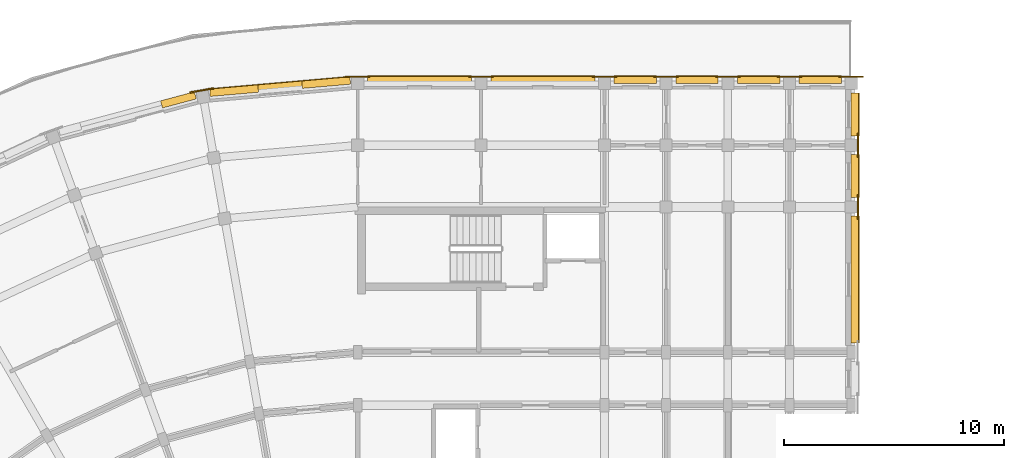
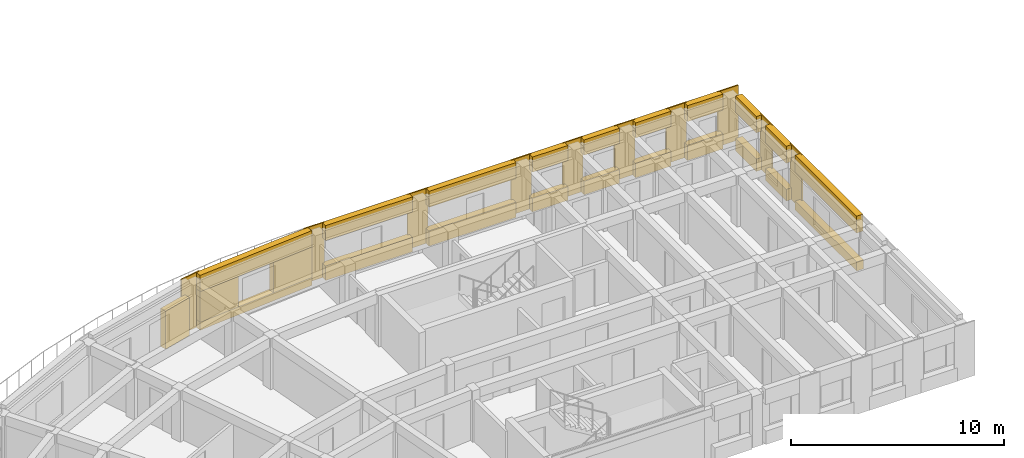
# One storey, part 22 of 23: 33 coverings.
"""IFC4 building model written with IfcOpenShell, lengths in metres."""

from ifc_helpers import new_model, si_unit, direction, frame, origin, place, context, subcontext, project, spatial, polyline, outline, extrude, material, layer, layer_set, type_object, element, save


model = new_model("IFC4")

# Units and contexts
model_context = context("Model", 3, precision=1e-05, world=origin(), true_north=direction((0.0, 1.0)))
body_context = subcontext(model_context, "Body", "Model", "MODEL_VIEW")
ifc_project = project(units=[si_unit("LENGTHUNIT", "METRE"), si_unit("AREAUNIT", "SQUARE_METRE"), si_unit("VOLUMEUNIT", "CUBIC_METRE"), si_unit("PLANEANGLEUNIT", "RADIAN"), si_unit("MASSUNIT", "GRAM", prefix="KILO")], contexts=[model_context])

# Site, building, storey
site_placement = place(None, origin())
site = spatial("IfcSite", under=ifc_project, at=site_placement, CompositionType="ELEMENT")
building_placement = place(site_placement, origin())
building = spatial("IfcBuilding", under=site, at=building_placement, Name="Kiranvali Square Residences", CompositionType="ELEMENT")
storey_placement = place(building_placement, frame((0.0, 0.0, 43.35009765625)))
storey = spatial("IfcBuildingStorey", under=building, at=storey_placement, Name="L13", CompositionType="ELEMENT", Elevation=43.35009765625)

# Coverings
ifc_material = material(Name="Honed Porbandar limestone ashlar facade cladding", Category="masonry")
ifc_layer_1 = layer(ifc_material, 0.3798828125)
ifc_layer_set_1 = layer_set([ifc_layer_1], Name="Honed Porbandar limestone ashlar facade cladding")
covering_type_1 = type_object("IfcCoveringType", Name="COV-CLAD-JAMB", PredefinedType="CLADDING", material=ifc_layer_set_1)
covering_1_placement = place(storey_placement, frame((0.0, 0.0, 0.4619140625)))
element("IfcCovering", 1, at=covering_1_placement, inside=storey, type_object=covering_type_1, Name="L13 deep limestone window jamb reveal A-L13-CRV-00.L", PredefinedType="CLADDING", context=body_context, shape_type="SweptSolid", body=[
    extrude(outline(polyline([(47.846923828125, 128.50537109375), (45.6591796875, 128.31396484375), (45.6884765625, 127.980712890625), (47.876220703125, 128.172119140625), (47.846923828125, 128.50537109375)])), origin(), (0.0, 0.0, 1.0), 1.75),
])
covering_2_placement = place(storey_placement, frame((0.0, 0.0, 0.4619140625)))
element("IfcCovering", 2, at=covering_2_placement, inside=storey, type_object=covering_type_1, Name="L13 deep limestone window jamb reveal A-L13-CRV-00.R", PredefinedType="CLADDING", context=body_context, shape_type="SweptSolid", body=[
    extrude(outline(polyline([(43.6669921875, 128.1396484375), (41.479248046875, 127.9482421875), (41.50830078125, 127.614990234375), (43.696044921875, 127.806396484375), (43.6669921875, 128.1396484375)])), origin(), (0.0, 0.0, 1.0), 1.75),
])
covering_3_placement = place(storey_placement, origin())
element("IfcCovering", 3, at=covering_3_placement, inside=storey, type_object=covering_type_1, Name="L13 deep limestone window jamb reveal A-L13-CRV-01.L", PredefinedType="CLADDING", context=body_context, shape_type="SweptSolid", body=[
    extrude(outline(polyline([(40.783935546875, 127.82568359375), (39.250732421875, 127.414794921875), (39.33740234375, 127.091796875), (40.87060546875, 127.502685546875), (40.783935546875, 127.82568359375)])), origin(), (0.0, 0.0, 1.0), 2.179931640625),
])
ifc_layer_2 = layer(ifc_material, 0.06494140625)
ifc_layer_set_2 = layer_set([ifc_layer_2], Name="Honed Porbandar limestone ashlar facade cladding")
covering_type_2 = type_object("IfcCoveringType", Name="COV-CLAD-PIER", PredefinedType="CLADDING", material=ifc_layer_set_2)
covering_4_placement = place(storey_placement, frame((0.0, 0.0, 0.0048828125)))
element("IfcCovering", 4, at=covering_4_placement, inside=storey, type_object=covering_type_2, Name="L13 Classical limestone corner pilaster CLAD-PR-A-L13-A00", PredefinedType="CLADDING", context=body_context, shape_type="SweptSolid", body=[
    extrude(outline(polyline([(48.7548828125, 128.54296875), (47.64501953125, 128.54296875), (47.64501953125, 128.4755859375), (48.7548828125, 128.4755859375), (48.7548828125, 128.54296875)])), origin(), (0.0, 0.0, 1.0), 3.14013671875),
])
covering_5_placement = place(storey_placement, frame((0.0, 0.0, 0.0048828125)))
element("IfcCovering", 5, at=covering_5_placement, inside=storey, type_object=covering_type_2, Name="L13 Classical limestone corner pilaster CLAD-PR-A-L13-A01", PredefinedType="CLADDING", context=body_context, shape_type="SweptSolid", body=[
    extrude(outline(polyline([(41.671630859375, 128.0205078125), (40.578369140625, 127.82763671875), (40.59033203125, 127.76123046875), (41.683349609375, 127.953857421875), (41.671630859375, 128.0205078125)])), origin(), (0.0, 0.0, 1.0), 3.14013671875),
])
ifc_layer_3 = layer(ifc_material, 0.054931640625)
ifc_layer_set_3 = layer_set([ifc_layer_3], Name="Honed Porbandar limestone ashlar facade cladding")
covering_type_3 = type_object("IfcCoveringType", Name="COV-CLAD-PIER-UP", PredefinedType="CLADDING", material=ifc_layer_set_3)
covering_6_placement = place(storey_placement, frame((0.0, 0.0, 0.0048828125)))
element("IfcCovering", 6, at=covering_6_placement, inside=storey, type_object=covering_type_3, Name="L13 Classical limestone pilaster casing CLAD-PR-A-L13-U56", PredefinedType="CLADDING", context=body_context, shape_type="SweptSolid", body=[
    extrude(outline(polyline([(53.2451171875, 128.4755859375), (54.35498046875, 128.4755859375), (54.35498046875, 128.54296875), (53.2451171875, 128.54296875), (53.2451171875, 128.4755859375)])), origin(), (0.0, 0.0, 1.0), 3.14013671875),
])
covering_7_placement = place(storey_placement, frame((0.0, 0.0, 0.0048828125)))
element("IfcCovering", 7, at=covering_7_placement, inside=storey, type_object=covering_type_3, Name="L13 Classical limestone pilaster casing CLAD-PR-A-L13-U112", PredefinedType="CLADDING", context=body_context, shape_type="SweptSolid", body=[
    extrude(outline(polyline([(58.844970703125, 128.4755859375), (59.955078125, 128.4755859375), (59.955078125, 128.54296875), (58.844970703125, 128.54296875), (58.844970703125, 128.4755859375)])), origin(), (0.0, 0.0, 1.0), 3.14013671875),
])
covering_8_placement = place(storey_placement, frame((0.0, 0.0, 0.0048828125)))
element("IfcCovering", 8, at=covering_8_placement, inside=storey, type_object=covering_type_3, Name="L13 Classical limestone pilaster casing CLAD-PR-A-L13-U140", PredefinedType="CLADDING", context=body_context, shape_type="SweptSolid", body=[
    extrude(outline(polyline([(61.64501953125, 128.4755859375), (62.7548828125, 128.4755859375), (62.7548828125, 128.54296875), (61.64501953125, 128.54296875), (61.64501953125, 128.4755859375)])), origin(), (0.0, 0.0, 1.0), 3.14013671875),
])
covering_9_placement = place(storey_placement, frame((0.0, 0.0, 0.0048828125)))
element("IfcCovering", 9, at=covering_9_placement, inside=storey, type_object=covering_type_3, Name="L13 Classical limestone pilaster casing CLAD-PR-A-L13-U167", PredefinedType="CLADDING", context=body_context, shape_type="SweptSolid", body=[
    extrude(outline(polyline([(64.445068359375, 128.4755859375), (65.554931640625, 128.4755859375), (65.554931640625, 128.54296875), (64.445068359375, 128.54296875), (64.445068359375, 128.4755859375)])), origin(), (0.0, 0.0, 1.0), 3.14013671875),
])
covering_10_placement = place(storey_placement, frame((0.0, 0.0, 0.0048828125)))
element("IfcCovering", 10, at=covering_10_placement, inside=storey, type_object=covering_type_3, Name="L13 Classical limestone pilaster casing CLAD-PR-A-L13-U195", PredefinedType="CLADDING", context=body_context, shape_type="SweptSolid", body=[
    extrude(outline(polyline([(67.2451171875, 128.4755859375), (68.35498046875, 128.4755859375), (68.35498046875, 128.54296875), (67.2451171875, 128.54296875), (67.2451171875, 128.4755859375)])), origin(), (0.0, 0.0, 1.0), 3.14013671875),
])
covering_11_placement = place(storey_placement, frame((0.0, 0.0, 0.0048828125)))
element("IfcCovering", 11, at=covering_11_placement, inside=storey, type_object=covering_type_3, Name="L13 Classical limestone pilaster casing CLAD-PR-A-L13-U224", PredefinedType="CLADDING", context=body_context, shape_type="SweptSolid", body=[
    extrude(outline(polyline([(70.044921875, 128.4755859375), (71.155029296875, 128.4755859375), (71.155029296875, 128.54296875), (70.044921875, 128.54296875), (70.044921875, 128.4755859375)])), origin(), (0.0, 0.0, 1.0), 3.14013671875),
])
covering_12_placement = place(storey_placement, frame((0.0, 0.0, 0.0048828125)))
element("IfcCovering", 12, at=covering_12_placement, inside=storey, type_object=covering_type_3, Name="L13 Classical limestone pilaster casing CLAD-PRA1E-A-L13-R348", PredefinedType="CLADDING", context=body_context, shape_type="SweptSolid", body=[
    extrude(outline(polyline([(70.943115234375, 122.044921875), (70.943115234375, 123.155029296875), (70.87548828125, 123.155029296875), (70.87548828125, 122.044921875), (70.943115234375, 122.044921875)])), origin(), (0.0, 0.0, 1.0), 3.14013671875),
])
covering_13_placement = place(storey_placement, frame((0.0, 0.0, 0.0048828125)))
element("IfcCovering", 13, at=covering_13_placement, inside=storey, type_object=covering_type_3, Name="L13 Classical limestone pilaster casing CLAD-PRA1E-A-L13-R376", PredefinedType="CLADDING", context=body_context, shape_type="SweptSolid", body=[
    extrude(outline(polyline([(70.943115234375, 124.844970703125), (70.943115234375, 125.955078125), (70.87548828125, 125.955078125), (70.87548828125, 124.844970703125), (70.943115234375, 124.844970703125)])), origin(), (0.0, 0.0, 1.0), 3.14013671875),
])
ifc_layer_4 = layer(ifc_material, 0.360107421875)
ifc_layer_set_4 = layer_set([ifc_layer_4], Name="Honed Porbandar limestone ashlar facade cladding")
covering_type_4 = type_object("IfcCoveringType", Name="COV-CLAD-WALL", PredefinedType="CLADDING", material=ifc_layer_set_4)
covering_14_placement = place(storey_placement, frame((0.0, 0.0, 2.2119140625)))
element("IfcCovering", 14, at=covering_14_placement, inside=storey, type_object=covering_type_4, Name="L13 light limestone spandrel lintel A-L13-CRV-00", PredefinedType="CLADDING", context=body_context, shape_type="SweptSolid", body=[
    extrude(outline(polyline([(47.846923828125, 128.50537109375), (41.479248046875, 127.9482421875), (41.50830078125, 127.614990234375), (47.876220703125, 128.172119140625), (47.846923828125, 128.50537109375)])), origin(), (0.0, 0.0, 1.0), 0.93310546875),
])
covering_15_placement = place(storey_placement, frame((0.0, 0.0, 2.27978515625)))
element("IfcCovering", 15, at=covering_15_placement, inside=storey, type_object=covering_type_4, Name="L13 light limestone spandrel lintel A-L13-A1O-0", PredefinedType="CLADDING", context=body_context, shape_type="SweptSolid", body=[
    extrude(outline(polyline([(48.639892578125, 128.200439453125), (53.360107421875, 128.200439453125), (53.360107421875, 128.52490234375), (48.639892578125, 128.52490234375), (48.639892578125, 128.200439453125)])), origin(), (0.0, 0.0, 1.0), 0.865234375),
])
covering_16_placement = place(storey_placement, frame((0.0, 0.0, 2.22998046875)))
element("IfcCovering", 16, at=covering_16_placement, inside=storey, type_object=covering_type_4, Name="L13 light limestone spandrel lintel A-L13-A1O-1", PredefinedType="CLADDING", context=body_context, shape_type="SweptSolid", body=[
    extrude(outline(polyline([(54.239990234375, 128.200439453125), (58.9599609375, 128.200439453125), (58.9599609375, 128.52490234375), (54.239990234375, 128.52490234375), (54.239990234375, 128.200439453125)])), origin(), (0.0, 0.0, 1.0), 0.9150390625),
])
covering_17_placement = place(storey_placement, frame((0.0, 0.0, 2.27978515625)))
element("IfcCovering", 17, at=covering_17_placement, inside=storey, type_object=covering_type_4, Name="L13 light limestone spandrel lintel A-L13-A1O-2", PredefinedType="CLADDING", context=body_context, shape_type="SweptSolid", body=[
    extrude(outline(polyline([(59.840087890625, 128.200439453125), (61.760009765625, 128.200439453125), (61.760009765625, 128.52490234375), (59.840087890625, 128.52490234375), (59.840087890625, 128.200439453125)])), origin(), (0.0, 0.0, 1.0), 0.865234375),
])
covering_18_placement = place(storey_placement, frame((0.0, 0.0, 2.27978515625)))
element("IfcCovering", 18, at=covering_18_placement, inside=storey, type_object=covering_type_4, Name="L13 light limestone spandrel lintel A-L13-A1O-3", PredefinedType="CLADDING", context=body_context, shape_type="SweptSolid", body=[
    extrude(outline(polyline([(62.639892578125, 128.200439453125), (64.56005859375, 128.200439453125), (64.56005859375, 128.52490234375), (62.639892578125, 128.52490234375), (62.639892578125, 128.200439453125)])), origin(), (0.0, 0.0, 1.0), 0.865234375),
])
covering_19_placement = place(storey_placement, frame((0.0, 0.0, 2.27978515625)))
element("IfcCovering", 19, at=covering_19_placement, inside=storey, type_object=covering_type_4, Name="L13 light limestone spandrel lintel A-L13-A1O-4", PredefinedType="CLADDING", context=body_context, shape_type="SweptSolid", body=[
    extrude(outline(polyline([(65.43994140625, 128.200439453125), (67.360107421875, 128.200439453125), (67.360107421875, 128.52490234375), (65.43994140625, 128.52490234375), (65.43994140625, 128.200439453125)])), origin(), (0.0, 0.0, 1.0), 0.865234375),
])
covering_20_placement = place(storey_placement, frame((0.0, 0.0, 2.22998046875)))
element("IfcCovering", 20, at=covering_20_placement, inside=storey, type_object=covering_type_4, Name="L13 light limestone spandrel lintel A-L13-A1O-5", PredefinedType="CLADDING", context=body_context, shape_type="SweptSolid", body=[
    extrude(outline(polyline([(68.239990234375, 128.200439453125), (70.159912109375, 128.200439453125), (70.159912109375, 128.52490234375), (68.239990234375, 128.52490234375), (68.239990234375, 128.200439453125)])), origin(), (0.0, 0.0, 1.0), 0.9150390625),
])
covering_21_placement = place(storey_placement, frame((0.0, 0.0, 2.171875)))
element("IfcCovering", 21, at=covering_21_placement, inside=storey, type_object=covering_type_4, Name="L13 light limestone spandrel lintel A-L13-A1END-2", PredefinedType="CLADDING", context=body_context, shape_type="SweptSolid", body=[
    extrude(outline(polyline([(70.93994140625, 116.419921875), (70.93994140625, 122.179931640625), (70.6005859375, 122.179931640625), (70.6005859375, 116.419921875), (70.93994140625, 116.419921875)])), origin(), (0.0, 0.0, 1.0), 0.97314453125),
])
covering_22_placement = place(storey_placement, frame((0.0, 0.0, 2.171875)))
element("IfcCovering", 22, at=covering_22_placement, inside=storey, type_object=covering_type_4, Name="L13 light limestone spandrel lintel A-L13-A1END-3", PredefinedType="CLADDING", context=body_context, shape_type="SweptSolid", body=[
    extrude(outline(polyline([(70.93994140625, 123.02001953125), (70.93994140625, 124.97998046875), (70.6005859375, 124.97998046875), (70.6005859375, 123.02001953125), (70.93994140625, 123.02001953125)])), origin(), (0.0, 0.0, 1.0), 0.97314453125),
])
covering_23_placement = place(storey_placement, frame((0.0, 0.0, 2.2119140625)))
element("IfcCovering", 23, at=covering_23_placement, inside=storey, type_object=covering_type_4, Name="L13 light limestone spandrel lintel A-L13-A1END-4", PredefinedType="CLADDING", context=body_context, shape_type="SweptSolid", body=[
    extrude(outline(polyline([(70.93994140625, 125.820068359375), (70.93994140625, 127.780029296875), (70.6005859375, 127.780029296875), (70.6005859375, 125.820068359375), (70.93994140625, 125.820068359375)])), origin(), (0.0, 0.0, 1.0), 0.93310546875),
])
ifc_layer_5 = layer(ifc_material, 0.320068359375)
ifc_layer_set_5 = layer_set([ifc_layer_5], Name="Honed Porbandar limestone ashlar facade cladding")
covering_type_5 = type_object("IfcCoveringType", Name="COV-CLAD-WALL-UP", PredefinedType="CLADDING", material=ifc_layer_set_5)
covering_24_placement = place(storey_placement, frame((0.0, 0.0, 0.0048828125)))
element("IfcCovering", 24, at=covering_24_placement, inside=storey, type_object=covering_type_5, Name="L13 limestone window sill apron A-L13-CRV-00", PredefinedType="CLADDING", context=body_context, shape_type="SweptSolid", body=[
    extrude(outline(polyline([(47.844482421875, 128.535400390625), (41.4765625, 127.978271484375), (41.50830078125, 127.614990234375), (47.876220703125, 128.172119140625), (47.844482421875, 128.535400390625)])), origin(), (0.0, 0.0, 1.0), 0.45703125),
])
covering_25_placement = place(storey_placement, frame((0.0, 0.0, 0.0048828125)))
element("IfcCovering", 25, at=covering_25_placement, inside=storey, type_object=covering_type_5, Name="L13 limestone window sill apron A-L13-A1O-0", PredefinedType="CLADDING", context=body_context, shape_type="SweptSolid", body=[
    extrude(outline(polyline([(48.639892578125, 128.200439453125), (53.360107421875, 128.200439453125), (53.360107421875, 128.554931640625), (48.639892578125, 128.554931640625), (48.639892578125, 128.200439453125)])), origin(), (0.0, 0.0, 1.0), 0.824951171875),
])
covering_26_placement = place(storey_placement, frame((0.0, 0.0, 0.0048828125)))
element("IfcCovering", 26, at=covering_26_placement, inside=storey, type_object=covering_type_5, Name="L13 limestone window sill apron A-L13-A1O-1", PredefinedType="CLADDING", context=body_context, shape_type="SweptSolid", body=[
    extrude(outline(polyline([(54.239990234375, 128.200439453125), (58.9599609375, 128.200439453125), (58.9599609375, 128.554931640625), (54.239990234375, 128.554931640625), (54.239990234375, 128.200439453125)])), origin(), (0.0, 0.0, 1.0), 0.875),
])
covering_27_placement = place(storey_placement, frame((0.0, 0.0, 0.0048828125)))
element("IfcCovering", 27, at=covering_27_placement, inside=storey, type_object=covering_type_5, Name="L13 limestone window sill apron A-L13-A1O-2", PredefinedType="CLADDING", context=body_context, shape_type="SweptSolid", body=[
    extrude(outline(polyline([(59.840087890625, 128.200439453125), (61.760009765625, 128.200439453125), (61.760009765625, 128.554931640625), (59.840087890625, 128.554931640625), (59.840087890625, 128.200439453125)])), origin(), (0.0, 0.0, 1.0), 0.77490234375),
])
covering_28_placement = place(storey_placement, frame((0.0, 0.0, 0.0048828125)))
element("IfcCovering", 28, at=covering_28_placement, inside=storey, type_object=covering_type_5, Name="L13 limestone window sill apron A-L13-A1O-3", PredefinedType="CLADDING", context=body_context, shape_type="SweptSolid", body=[
    extrude(outline(polyline([(62.639892578125, 128.200439453125), (64.56005859375, 128.200439453125), (64.56005859375, 128.554931640625), (62.639892578125, 128.554931640625), (62.639892578125, 128.200439453125)])), origin(), (0.0, 0.0, 1.0), 0.77490234375),
])
covering_29_placement = place(storey_placement, frame((0.0, 0.0, 0.0048828125)))
element("IfcCovering", 29, at=covering_29_placement, inside=storey, type_object=covering_type_5, Name="L13 limestone window sill apron A-L13-A1O-4", PredefinedType="CLADDING", context=body_context, shape_type="SweptSolid", body=[
    extrude(outline(polyline([(65.43994140625, 128.200439453125), (67.360107421875, 128.200439453125), (67.360107421875, 128.554931640625), (65.43994140625, 128.554931640625), (65.43994140625, 128.200439453125)])), origin(), (0.0, 0.0, 1.0), 0.824951171875),
])
covering_30_placement = place(storey_placement, frame((0.0, 0.0, 0.0048828125)))
element("IfcCovering", 30, at=covering_30_placement, inside=storey, type_object=covering_type_5, Name="L13 limestone window sill apron A-L13-A1O-5", PredefinedType="CLADDING", context=body_context, shape_type="SweptSolid", body=[
    extrude(outline(polyline([(68.239990234375, 128.200439453125), (70.159912109375, 128.200439453125), (70.159912109375, 128.554931640625), (68.239990234375, 128.554931640625), (68.239990234375, 128.200439453125)])), origin(), (0.0, 0.0, 1.0), 0.875),
])
covering_31_placement = place(storey_placement, frame((0.0, 0.0, 0.0048828125)))
element("IfcCovering", 31, at=covering_31_placement, inside=storey, type_object=covering_type_5, Name="L13 limestone window sill apron A-L13-A1END-2", PredefinedType="CLADDING", context=body_context, shape_type="SweptSolid", body=[
    extrude(outline(polyline([(70.969970703125, 116.419921875), (70.969970703125, 122.179931640625), (70.6005859375, 122.179931640625), (70.6005859375, 116.419921875), (70.969970703125, 116.419921875)])), origin(), (0.0, 0.0, 1.0), 0.51708984375),
])
covering_32_placement = place(storey_placement, frame((0.0, 0.0, 0.0048828125)))
element("IfcCovering", 32, at=covering_32_placement, inside=storey, type_object=covering_type_5, Name="L13 limestone window sill apron A-L13-A1END-3", PredefinedType="CLADDING", context=body_context, shape_type="SweptSolid", body=[
    extrude(outline(polyline([(70.969970703125, 123.02001953125), (70.969970703125, 124.97998046875), (70.6005859375, 124.97998046875), (70.6005859375, 123.02001953125), (70.969970703125, 123.02001953125)])), origin(), (0.0, 0.0, 1.0), 0.6669921875),
])
covering_33_placement = place(storey_placement, frame((0.0, 0.0, 0.0048828125)))
element("IfcCovering", 33, at=covering_33_placement, inside=storey, type_object=covering_type_5, Name="L13 limestone window sill apron A-L13-A1END-4", PredefinedType="CLADDING", context=body_context, shape_type="SweptSolid", body=[
    extrude(outline(polyline([(70.969970703125, 125.820068359375), (70.969970703125, 127.780029296875), (70.6005859375, 127.780029296875), (70.6005859375, 125.820068359375), (70.969970703125, 125.820068359375)])), origin(), (0.0, 0.0, 1.0), 0.70703125),
])

save(model, "model.ifc")
